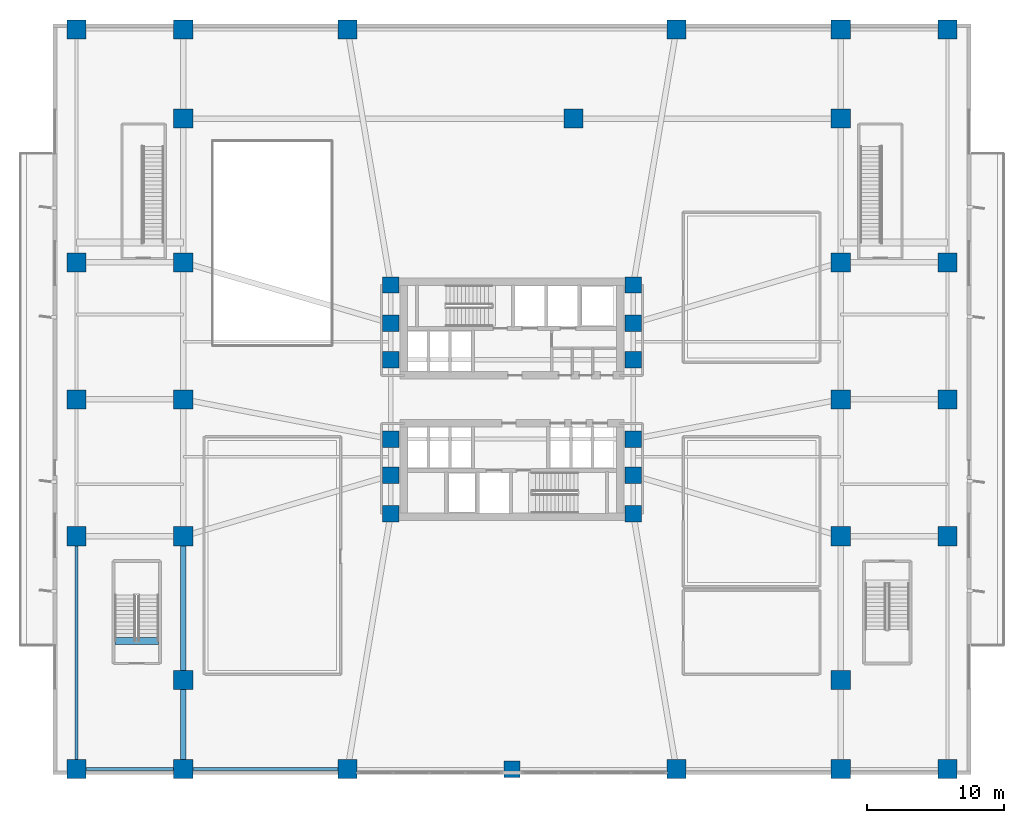
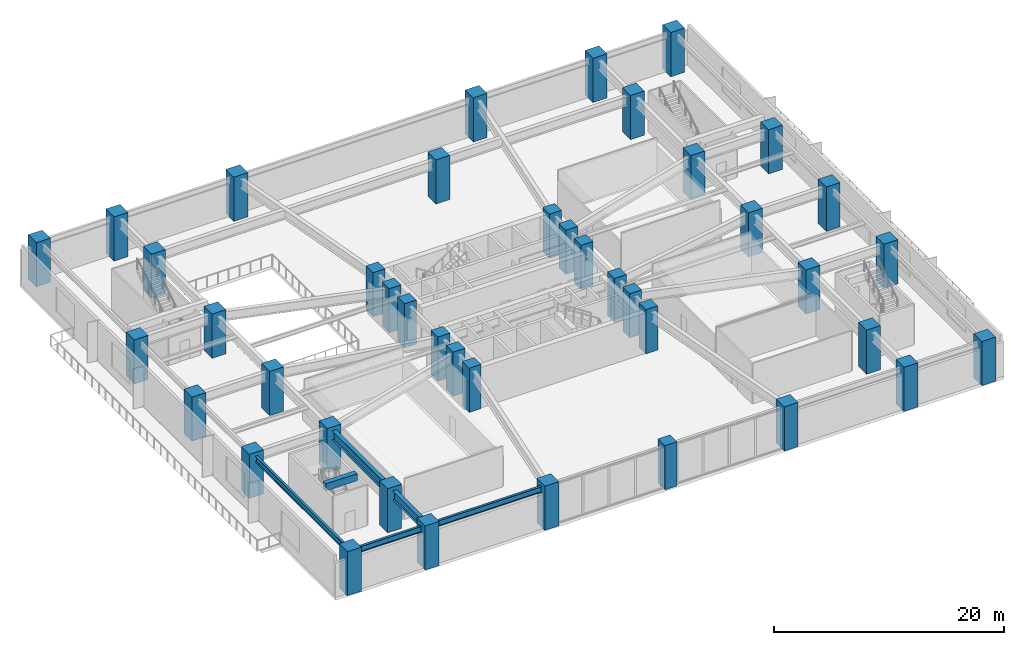
# One storey, part 1 of 13: 42 columns, 6 beams.
"""IFC4 building model written with IfcOpenShell, lengths in metres."""

import ifcopenshell
import ifcopenshell.guid

model = None  # the IFC model being written
_history = None  # IfcOwnerHistory: only IFC2X3 demands one
_inside = {}  # id of a spatial element -> (the spatial element, [elements in it])
_under = {}  # id of a project, library or spatial element -> (it, [spatial elements below it])
_declared = {}  # id of a project -> (the project, [libraries it declares])
_typed = {}  # id of a type object -> (the type object, [elements of that type])
_made_of = {}  # id of a material, layer set ... -> (it, [elements and type objects made of it])


def new_model(schema):
    """Start an empty IFC model of exactly this schema.

    Asked for "IFC4X3", IfcOpenShell would pick the latest addendum, in which some entities
    have other attributes; the version numbers below select the first issue.
    IFC2X3 requires an IfcOwnerHistory on every rooted entity: one is made here for all.
    """
    global model, _history
    if schema == "IFC4X3":
        model = ifcopenshell.file(schema_version=(4, 3, 0, 0))
    else:
        model = ifcopenshell.file(schema=schema)
    _inside.clear()
    _under.clear()
    _declared.clear()
    _typed.clear()
    _made_of.clear()
    _history = None
    if model.schema == "IFC2X3":
        org = make("IfcOrganization", Name="unknown")
        user = make(
            "IfcPersonAndOrganization",
            ThePerson=make("IfcPerson", FamilyName="unknown"),
            TheOrganization=org,
        )
        app = make(
            "IfcApplication",
            ApplicationDeveloper=org,
            Version="unknown",
            ApplicationFullName="unknown",
            ApplicationIdentifier="unknown",
        )
        _history = make(
            "IfcOwnerHistory",
            OwningUser=user,
            OwningApplication=app,
            ChangeAction="ADDED",
            CreationDate=0,
        )
    return model


def make(cls, **values):
    """One entity of the class cls with the attributes given. An attribute that is None is left unset."""
    return model.create_entity(
        cls, **{name: value for name, value in values.items() if value is not None}
    )


def rooted(cls, **values):
    """An entity with a GlobalId (a new one), such as an element, a storey or a relation."""
    return make(cls, GlobalId=ifcopenshell.guid.new(), OwnerHistory=_history, **values)


def si_unit(unit_type, name, prefix=None):
    """IfcSIUnit, for example si_unit("LENGTHUNIT", "METRE", prefix="MILLI")."""
    return make("IfcSIUnit", UnitType=unit_type, Prefix=prefix, Name=name)


def assignment(units):
    """IfcUnitAssignment: the units of a project."""
    return None if units is None else make("IfcUnitAssignment", Units=units)


def point(xyz):
    """IfcCartesianPoint."""
    return None if xyz is None else make("IfcCartesianPoint", Coordinates=xyz)


def direction(xyz):
    """IfcDirection."""
    return None if xyz is None else make("IfcDirection", DirectionRatios=xyz)


def frame(location, z_axis=None, x_axis=None):
    """IfcAxis2Placement3D, a coordinate frame: its origin and axes. An axis left out is left unset."""
    return make(
        "IfcAxis2Placement3D",
        Location=point(location),
        Axis=direction(z_axis),
        RefDirection=direction(x_axis),
    )


def frame_2d(location, x_axis=None):
    """IfcAxis2Placement2D, a coordinate frame in the plane: its origin and x axis."""
    return make(
        "IfcAxis2Placement2D", Location=point(location), RefDirection=direction(x_axis)
    )


def origin():
    """The frame at (0, 0, 0) with its axes left unset."""
    return frame((0.0, 0.0, 0.0))


def origin_2d():
    """The frame at (0, 0) in the plane with its x axis left unset."""
    return frame_2d((0.0, 0.0))


def place(relative_to, where):
    """IfcLocalPlacement: puts the frame where relative to a parent placement (None: the world)."""
    return make(
        "IfcLocalPlacement", PlacementRelTo=relative_to, RelativePlacement=where
    )


def context(
    kind, dimensions, precision=None, world=None, true_north=None, identifier=None
):
    """IfcGeometricRepresentationContext, for example the 3D "Model" context."""
    return make(
        "IfcGeometricRepresentationContext",
        ContextIdentifier=identifier,
        ContextType=kind,
        CoordinateSpaceDimension=dimensions,
        Precision=precision,
        WorldCoordinateSystem=world,
        TrueNorth=true_north,
    )


def subcontext(parent, identifier, kind, view, scale=None):
    """IfcGeometricRepresentationSubContext, for example "Body" below "Model"."""
    return make(
        "IfcGeometricRepresentationSubContext",
        ContextIdentifier=identifier,
        ContextType=kind,
        ParentContext=parent,
        TargetScale=scale,
        TargetView=view,
    )


def project(units=None, contexts=None):
    """IfcProject with its units and contexts."""
    return rooted(
        "IfcProject",
        Name="project",
        RepresentationContexts=contexts,
        UnitsInContext=assignment(units),
    )


def spatial(cls, under=None, at=None, **own):
    """A site, building, storey or space (cls), placed at a placement, below another one or the project."""
    s = rooted(cls, ObjectPlacement=at, **own)
    if under is not None:
        _under.setdefault(under.id(), (under, []))[1].append(s)
    return s


def profile(cls, at=None, kind="AREA", **sizes):
    """A parametric profile (cls). Its sizes go by their IFC names, for example OverallWidth=200.0."""
    return make(cls, ProfileType=kind, Position=at, **sizes)


def rectangle(**sizes):
    """IfcRectangleProfileDef."""
    return profile("IfcRectangleProfileDef", **sizes)


def i_section(**sizes):
    """IfcIShapeProfileDef."""
    return profile("IfcIShapeProfileDef", **sizes)


def extrude(swept, where, along, depth):
    """IfcExtrudedAreaSolid: the profile swept, set in the frame where, extruded along a direction by depth."""
    return make(
        "IfcExtrudedAreaSolid",
        SweptArea=swept,
        Position=where,
        ExtrudedDirection=direction(along),
        Depth=depth,
    )


def shape(context_of_items, identifier, shape_type, items):
    """IfcShapeRepresentation: the items that make up one representation, for example the "Body"."""
    return make(
        "IfcShapeRepresentation",
        ContextOfItems=context_of_items,
        RepresentationIdentifier=identifier,
        RepresentationType=shape_type,
        Items=items,
    )


def material(Name=None, Category=None):
    """IfcMaterial."""
    return make("IfcMaterial", Name=Name, Category=Category)


def material_profile(
    of_material, cross_section, Name=None, Category=None, Priority=None
):
    """IfcMaterialProfile: a cross section and its material."""
    return make(
        "IfcMaterialProfile",
        Name=Name,
        Material=of_material,
        Profile=cross_section,
        Priority=Priority,
        Category=Category,
    )


def profile_set(profiles, Name=None, composite=None):
    """IfcMaterialProfileSet."""
    return make(
        "IfcMaterialProfileSet",
        Name=Name,
        MaterialProfiles=profiles,
        CompositeProfile=composite,
    )


def made_of(thing, what):
    """Note that an element or type object is made of a material, layer set ...; save() writes the relation."""
    if what is not None:
        _made_of.setdefault(what.id(), (what, []))[1].append(thing)
    return thing


def type_object(cls, material=None, **own):
    """A type object (cls), such as IfcWallType, which elements share."""
    return made_of(rooted(cls, **own), material)


def element(
    cls,
    number,
    at=None,
    inside=None,
    cuts=None,
    type_object=None,
    material=None,
    context=None,
    identifier="Body",
    shape_type=None,
    held_by="IfcProductDefinitionShape",
    body=None,
    shapes=None,
    **own,
):
    """One element of the class cls, such as IfcWall. Its Tag is "e" and its number.

    at: its placement. inside: the storey or other place that contains it. cuts: it is an
    opening in that element (IfcRelVoidsElement). A single representation is given by context,
    identifier, shape_type and body (its items); several are given by shapes. held_by: the class
    of the entity that holds the representations. save() writes the other relations.
    """
    e = rooted(cls, Tag="e%d" % number, ObjectPlacement=at, **own)
    if body is not None:
        shapes = [shape(context, identifier, shape_type, body)]
    if shapes is not None:
        e.Representation = make(held_by, Representations=shapes)
    if inside is not None:
        _inside.setdefault(inside.id(), (inside, []))[1].append(e)
    if cuts is not None:
        rooted(
            "IfcRelVoidsElement", RelatingBuildingElement=cuts, RelatedOpeningElement=e
        )
    if type_object is not None:
        _typed.setdefault(type_object.id(), (type_object, []))[1].append(e)
    return made_of(e, material)


def aggregate(whole, parts):
    """IfcRelAggregates: a whole, such as a stair, and the parts it consists of."""
    return rooted("IfcRelAggregates", RelatingObject=whole, RelatedObjects=parts)


def save(model, path):
    """Write the relations noted so far, then the file.

    IfcRelAggregates (storeys below a building ...), IfcRelContainedInSpatialStructure (elements
    in a storey), IfcRelDefinesByType, IfcRelAssociatesMaterial and IfcRelDeclares: one each for
    every whole, place, type object, material and project.
    """
    for whole, parts in _under.values():
        aggregate(whole, parts)
    for where, things in _inside.values():
        rooted(
            "IfcRelContainedInSpatialStructure",
            RelatedElements=things,
            RelatingStructure=where,
        )
    for kind, things in _typed.values():
        rooted("IfcRelDefinesByType", RelatedObjects=things, RelatingType=kind)
    for what, things in _made_of.values():
        rooted("IfcRelAssociatesMaterial", RelatedObjects=things, RelatingMaterial=what)
    for by, libraries in _declared.values():
        rooted("IfcRelDeclares", RelatingContext=by, RelatedDefinitions=libraries)
    model.write(path)


model = new_model("IFC4")

# Units and contexts
model_context = context("Model", 3, precision=1e-05, world=origin(), true_north=direction((0.0, 1.0)))
body_context = subcontext(model_context, "Body", "Model", "MODEL_VIEW")
ifc_project = project(units=[si_unit("LENGTHUNIT", "METRE"), si_unit("AREAUNIT", "SQUARE_METRE"), si_unit("VOLUMEUNIT", "CUBIC_METRE"), si_unit("PLANEANGLEUNIT", "RADIAN"), si_unit("MASSUNIT", "GRAM", prefix="KILO")], contexts=[model_context])

# Site, building, storey
site_placement = place(None, origin())
site = spatial("IfcSite", under=ifc_project, at=site_placement, CompositionType="ELEMENT")
building_placement = place(site_placement, origin())
building = spatial("IfcBuilding", under=site, at=building_placement, Name="Solmarez Civic Tower", CompositionType="ELEMENT")
storey_placement = place(building_placement, frame((0.0, 0.0, 14.760009765625)))
storey = spatial("IfcBuildingStorey", under=building, at=storey_placement, Name="L03", CompositionType="ELEMENT", Elevation=14.760009765625)

# Columns
ifc_material_1 = material(Name="Concrete C60/75", Category="concrete")
ifc_material_profile_1 = material_profile(ifc_material_1, rectangle(XDim=1.199951171875, YDim=1.199951171875, at=origin_2d()), Name="RC1200X1200")
ifc_profile_set_1 = profile_set([ifc_material_profile_1], Name="Concrete C60/75")
column_type_1 = type_object("IfcColumnType", Name="COL-RC1200", PredefinedType="COLUMN", material=ifc_profile_set_1)
for number, where, z_axis, x_axis, name in (
    (1, (-8.85009765625, -5.550048828125, 0.0), (0.0, 0.0, 1.0), (1.0, 0.0, 0.0), "L03 Structural Column HC1"),
    (2, (-8.85009765625, -2.89990234375, 0.0), (0.0, 0.0, 1.0), (1.0, 0.0, 0.0), "L03 Structural Column HC2"),
    (3, (-8.85009765625, 2.89990234375, 0.0), (0.0, 0.0, 1.0), (1.0, 0.0, 0.0), "L03 Structural Column HC3"),
    (4, (-8.85009765625, 5.550048828125, 0.0), (0.0, 0.0, 1.0), (1.0, 0.0, 0.0), "L03 Structural Column HC4"),
    (5, (8.85009765625, -5.550048828125, 0.0), (0.0, 0.0, 1.0), (1.0, 0.0, 0.0), "L03 Structural Column HC5"),
    (6, (8.85009765625, -2.89990234375, 0.0), (0.0, 0.0, 1.0), (1.0, 0.0, 0.0), "L03 Structural Column HC6"),
    (7, (8.85009765625, 2.89990234375, 0.0), (0.0, 0.0, 1.0), (1.0, 0.0, 0.0), "L03 Structural Column HC7"),
    (8, (8.85009765625, 5.550048828125, 0.0), (0.0, 0.0, 1.0), (1.0, 0.0, 0.0), "L03 Structural Column HC8"),
    (9, (-8.85009765625, 8.35009765625, 0.0), (0.0, 0.0, 1.0), (1.0, 0.0, 0.0), "L03 Structural Column HC9"),
    (10, (8.85009765625, -8.35009765625, 0.0), (0.0, 0.0, 1.0), (1.0, 0.0, 0.0), "L03 Structural Column HC10"),
    (11, (8.85009765625, 8.35009765625, 0.0), (0.0, 0.0, 1.0), (1.0, 0.0, 0.0), "L03 Structural Column HC11"),
    (12, (-8.85009765625, -8.35009765625, 0.0), (0.0, 0.0, 1.0), (1.0, 0.0, 0.0), "L03 Structural Column HC12"),
    (13, (0.0, -27.0, 0.0), (0.0, 0.0, 1.0), (1.0, 0.0, 0.0), "L03 Structural Column PC26"),
):
    element("IfcColumn", number, at=place(storey_placement, frame(where, z_axis=z_axis, x_axis=x_axis)), inside=storey, type_object=column_type_1, Name=name, PredefinedType="COLUMN", context=body_context, shape_type="SweptSolid", body=[
        extrude(rectangle(XDim=1.199951171875, YDim=1.199951171875, at=origin_2d()), origin(), (0.0, 0.0, 1.0), 4.679931640625),
    ])
ifc_material_profile_2 = material_profile(ifc_material_1, rectangle(XDim=1.39990234375, YDim=1.39990234375, at=origin_2d()), Name="RC1400X1400")
ifc_profile_set_2 = profile_set([ifc_material_profile_2], Name="Concrete C60/75")
column_type_2 = type_object("IfcColumnType", Name="COL-RC1400", PredefinedType="COLUMN", material=ifc_profile_set_2)
for number, where, z_axis, x_axis, name in (
    (14, (-31.800048828125, -27.0, 0.0), (0.0, 0.0, 1.0), (1.0, 0.0, 0.0), "L03 Structural Column PC01"),
    (15, (-24.0, -27.0, 0.0), (0.0, 0.0, 1.0), (1.0, 0.0, 0.0), "L03 Structural Column PC02"),
    (16, (-12.0, -27.0, 0.0), (0.0, 0.0, 1.0), (1.0, 0.0, 0.0), "L03 Structural Column PC03"),
    (17, (12.0, -27.0, 0.0), (0.0, 0.0, 1.0), (1.0, 0.0, 0.0), "L03 Structural Column PC04"),
    (18, (24.0, -27.0, 0.0), (0.0, 0.0, 1.0), (1.0, 0.0, 0.0), "L03 Structural Column PC05"),
    (19, (31.800048828125, -27.0, 0.0), (0.0, 0.0, 1.0), (1.0, 0.0, 0.0), "L03 Structural Column PC06"),
    (20, (-31.800048828125, 27.0, 0.0), (0.0, 0.0, 1.0), (1.0, 0.0, 0.0), "L03 Structural Column PC07"),
    (21, (-24.0, 27.0, 0.0), (0.0, 0.0, 1.0), (1.0, 0.0, 0.0), "L03 Structural Column PC08"),
    (22, (-12.0, 27.0, 0.0), (0.0, 0.0, 1.0), (1.0, 0.0, 0.0), "L03 Structural Column PC09"),
    (23, (12.0, 27.0, 0.0), (0.0, 0.0, 1.0), (1.0, 0.0, 0.0), "L03 Structural Column PC10"),
    (24, (24.0, 27.0, 0.0), (0.0, 0.0, 1.0), (1.0, 0.0, 0.0), "L03 Structural Column PC11"),
    (25, (31.800048828125, 27.0, 0.0), (0.0, 0.0, 1.0), (1.0, 0.0, 0.0), "L03 Structural Column PC12"),
    (26, (-31.800048828125, -10.0, 0.0), (0.0, 0.0, 1.0), (1.0, 0.0, 0.0), "L03 Structural Column PC13"),
    (27, (-31.800048828125, 0.0, 0.0), (0.0, 0.0, 1.0), (1.0, 0.0, 0.0), "L03 Structural Column PC14"),
    (28, (-31.800048828125, 10.0, 0.0), (0.0, 0.0, 1.0), (1.0, 0.0, 0.0), "L03 Structural Column PC15"),
    (29, (31.800048828125, -10.0, 0.0), (0.0, 0.0, 1.0), (1.0, 0.0, 0.0), "L03 Structural Column PC16"),
    (30, (31.800048828125, 0.0, 0.0), (0.0, 0.0, 1.0), (1.0, 0.0, 0.0), "L03 Structural Column PC17"),
    (31, (31.800048828125, 10.0, 0.0), (0.0, 0.0, 1.0), (1.0, 0.0, 0.0), "L03 Structural Column PC18"),
    (32, (-24.0, -10.0, 0.0), (0.0, 0.0, 1.0), (1.0, 0.0, 0.0), "L03 Structural Column PC19"),
    (33, (-24.0, 0.0, 0.0), (0.0, 0.0, 1.0), (1.0, 0.0, 0.0), "L03 Structural Column PC20"),
    (34, (-24.0, 10.0, 0.0), (0.0, 0.0, 1.0), (1.0, 0.0, 0.0), "L03 Structural Column PC21"),
    (35, (24.0, -10.0, 0.0), (0.0, 0.0, 1.0), (1.0, 0.0, 0.0), "L03 Structural Column PC22"),
    (36, (24.0, 0.0, 0.0), (0.0, 0.0, 1.0), (1.0, 0.0, 0.0), "L03 Structural Column PC23"),
    (37, (24.0, 10.0, 0.0), (0.0, 0.0, 1.0), (1.0, 0.0, 0.0), "L03 Structural Column PC24"),
    (38, (4.5, 20.5, 0.0), (0.0, 0.0, 1.0), (1.0, 0.0, 0.0), "L03 Structural Column PC25"),
    (39, (-24.0, -20.5, 0.0), (0.0, 0.0, 1.0), (1.0, 0.0, 0.0), "L03 Structural Column PC27"),
    (40, (24.0, -20.5, 0.0), (0.0, 0.0, 1.0), (1.0, 0.0, 0.0), "L03 Structural Column PC28"),
    (41, (-24.0, 20.5, 0.0), (0.0, 0.0, 1.0), (1.0, 0.0, 0.0), "L03 Structural Column PC29"),
    (42, (24.0, 20.5, 0.0), (0.0, 0.0, 1.0), (1.0, 0.0, 0.0), "L03 Structural Column PC30"),
):
    element("IfcColumn", number, at=place(storey_placement, frame(where, z_axis=z_axis, x_axis=x_axis)), inside=storey, type_object=column_type_2, Name=name, PredefinedType="COLUMN", context=body_context, shape_type="SweptSolid", body=[
        extrude(rectangle(XDim=1.39990234375, YDim=1.39990234375, at=origin_2d()), origin(), (0.0, 0.0, 1.0), 4.679931640625),
    ])

# Beams
ifc_material_2 = material(Name="Concrete C50/60", Category="concrete")
ifc_material_profile_3 = material_profile(ifc_material_2, rectangle(XDim=0.5, YDim=0.75, at=origin_2d()), Name="RC500X750")
ifc_profile_set_3 = profile_set([ifc_material_profile_3], Name="Concrete C50/60")
beam_type_1 = type_object("IfcBeamType", Name="BM-PR-RC500X750", PredefinedType="BEAM", material=ifc_profile_set_3)
beam_1_placement = place(storey_placement, frame((-28.97998046875, -17.64990234375, 4.31103515625), z_axis=(1.0, 0.0, 0.0), x_axis=(0.0, 1.0, 0.0)))
element("IfcBeam", 43, at=beam_1_placement, inside=storey, type_object=beam_type_1, Name="L03 West Podium Stair Threshold Beam", PredefinedType="BEAM", context=body_context, shape_type="SweptSolid", body=[
    extrude(rectangle(XDim=0.5, YDim=0.75, at=origin_2d()), origin(), (0.0, 0.0, 1.0), 3.159912109375),
])
ifc_material_3 = material(Name="Steel S355", Category="steel")
ifc_material_profile_4 = material_profile(ifc_material_3, i_section(OverallWidth=0.39892578125, OverallDepth=0.98193359375, WebThickness=0.0166015625, FlangeThickness=0.027099609375, at=origin_2d()), Name="W40X199")
ifc_profile_set_4 = profile_set([ifc_material_profile_4], Name="Steel S355")
beam_type_2 = type_object("IfcBeamType", Name="BM-PR-W40X199", PredefinedType="BEAM", material=ifc_profile_set_4)
beam_2_placement = place(storey_placement, frame((-24.0, -27.0, 3.7890625), z_axis=(0.0, 1.0, 0.0), x_axis=(-1.0, 0.0, 0.0)))
element("IfcBeam", 44, at=beam_2_placement, inside=storey, type_object=beam_type_2, Name="L03 Primary Floor Beam BM-L03-PC02-PC27", PredefinedType="BEAM", context=body_context, shape_type="SweptSolid", body=[
    extrude(i_section(OverallWidth=0.39892578125, OverallDepth=0.98193359375, WebThickness=0.0166015625, FlangeThickness=0.027099609375, at=origin_2d()), origin(), (0.0, 0.0, 1.0), 6.5),
])
beam_3_placement = place(storey_placement, frame((-24.0, -20.5, 3.7890625), z_axis=(0.0, 1.0, 0.0), x_axis=(-1.0, 0.0, 0.0)))
element("IfcBeam", 45, at=beam_3_placement, inside=storey, type_object=beam_type_2, Name="L03 Primary Floor Beam BM-L03-PC27-PC19", PredefinedType="BEAM", context=body_context, shape_type="SweptSolid", body=[
    extrude(i_section(OverallWidth=0.39892578125, OverallDepth=0.98193359375, WebThickness=0.0166015625, FlangeThickness=0.027099609375, at=origin_2d()), origin(), (0.0, 0.0, 1.0), 10.5),
])
ifc_material_profile_5 = material_profile(ifc_material_3, i_section(OverallWidth=0.22900390625, OverallDepth=0.612060546875, WebThickness=0.011962890625, FlangeThickness=0.01953125, at=origin_2d()), Name="W24X84")
ifc_profile_set_5 = profile_set([ifc_material_profile_5], Name="Steel S355")
beam_type_3 = type_object("IfcBeamType", Name="BM-SP-W24X84", PredefinedType="SPANDREL", material=ifc_profile_set_5)
beam_4_placement = place(storey_placement, frame((-31.800048828125, -27.0, 3.973876953125), z_axis=(1.0, 0.0, 0.0), x_axis=(0.0, 1.0, 0.0)))
element("IfcBeam", 46, at=beam_4_placement, inside=storey, type_object=beam_type_3, Name="L03 Perimeter Spandrel Beam BM-L03-PC01-PC02", PredefinedType="SPANDREL", context=body_context, shape_type="SweptSolid", body=[
    extrude(i_section(OverallWidth=0.22900390625, OverallDepth=0.612060546875, WebThickness=0.011962890625, FlangeThickness=0.01953125, at=origin_2d()), origin(), (0.0, 0.0, 1.0), 7.800048828125),
])
beam_5_placement = place(storey_placement, frame((-24.0, -27.0, 3.973876953125), z_axis=(1.0, 0.0, 0.0), x_axis=(0.0, 1.0, 0.0)))
element("IfcBeam", 47, at=beam_5_placement, inside=storey, type_object=beam_type_3, Name="L03 Perimeter Spandrel Beam BM-L03-PC02-PC03", PredefinedType="SPANDREL", context=body_context, shape_type="SweptSolid", body=[
    extrude(i_section(OverallWidth=0.22900390625, OverallDepth=0.612060546875, WebThickness=0.011962890625, FlangeThickness=0.01953125, at=origin_2d()), origin(), (0.0, 0.0, 1.0), 12.0),
])
beam_6_placement = place(storey_placement, frame((-31.800048828125, -27.0, 3.973876953125), z_axis=(0.0, 1.0, 0.0), x_axis=(-1.0, 0.0, 0.0)))
element("IfcBeam", 48, at=beam_6_placement, inside=storey, type_object=beam_type_3, Name="L03 Perimeter Spandrel Beam BM-L03-PC01-PC13", PredefinedType="SPANDREL", context=body_context, shape_type="SweptSolid", body=[
    extrude(i_section(OverallWidth=0.22900390625, OverallDepth=0.612060546875, WebThickness=0.011962890625, FlangeThickness=0.01953125, at=origin_2d()), origin(), (0.0, 0.0, 1.0), 17.0),
])

save(model, "model.ifc")
